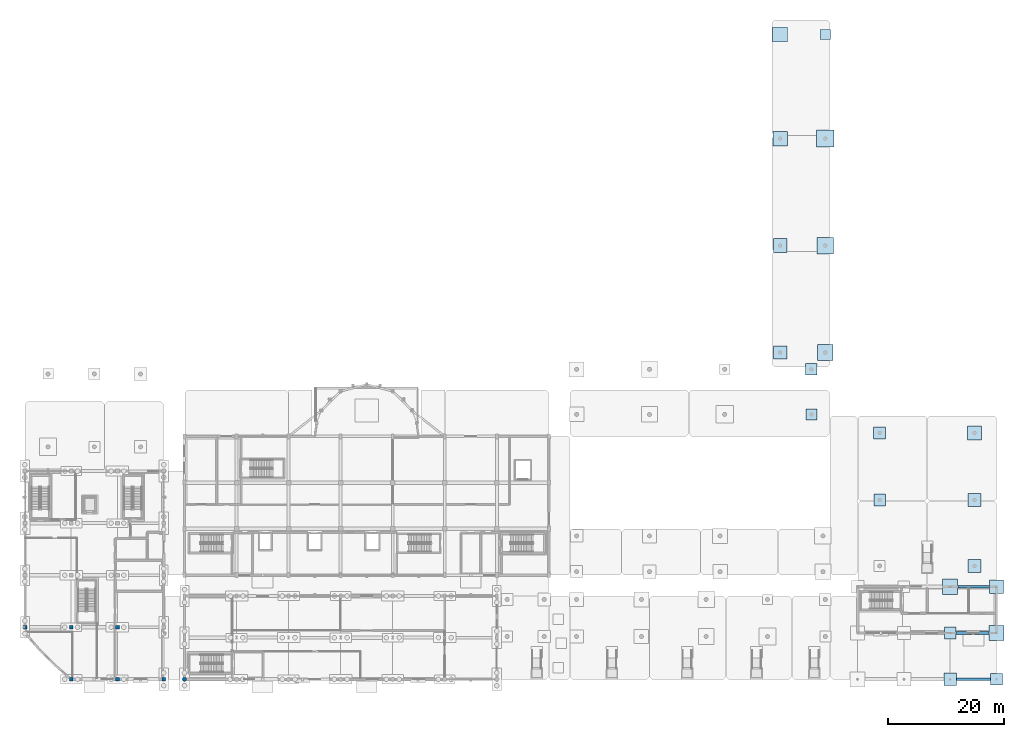
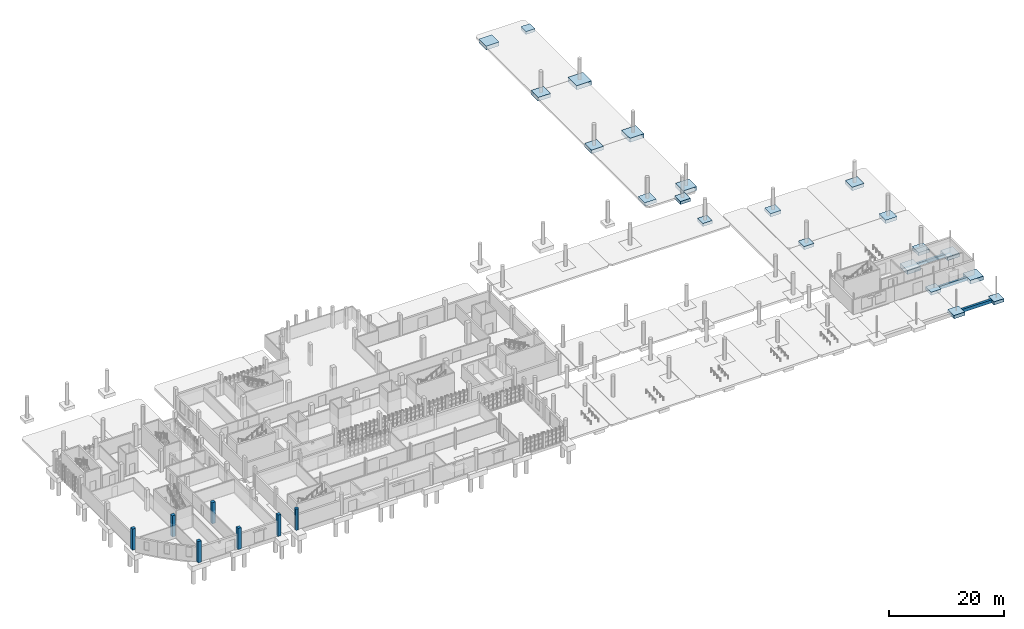
# One storey, part 3 of 63: 24 footings, 7 columns.
"""IFC4 building model written with IfcOpenShell, lengths in metres."""

from ifc_helpers import new_model, si_unit, direction, frame, origin, origin_2d, place, context, subcontext, project, spatial, polyline, rectangle, circle, outline, extrude, material, material_profile, profile_set, type_object, element, save


model = new_model("IFC4")

# Units and contexts
model_context = context("Model", 3, precision=1e-05, world=origin(), true_north=direction((0.0, 1.0)))
body_context = subcontext(model_context, "Body", "Model", "MODEL_VIEW")
ifc_project = project(units=[si_unit("LENGTHUNIT", "METRE"), si_unit("AREAUNIT", "SQUARE_METRE"), si_unit("VOLUMEUNIT", "CUBIC_METRE"), si_unit("PLANEANGLEUNIT", "RADIAN"), si_unit("MASSUNIT", "GRAM", prefix="KILO")], contexts=[model_context])

# Site, building, storey
site_placement = place(None, origin())
site = spatial("IfcSite", under=ifc_project, at=site_placement, CompositionType="ELEMENT")
building_placement = place(site_placement, origin())
building = spatial("IfcBuilding", under=site, at=building_placement, Name="Serraforn Aerial Cableway Station", CompositionType="ELEMENT")
storey_placement = place(building_placement, origin())
storey = spatial("IfcBuildingStorey", under=building, at=storey_placement, Name="L00", CompositionType="ELEMENT", Elevation=0.0)

# Footings
ifc_material = material(Name="Concrete C35/45", Category="concrete")
footing_type_1 = type_object("IfcFootingType", Name="FT-FB-450x650", PredefinedType="FOOTING_BEAM", material=ifc_material)
footing_1_placement = place(storey_placement, frame((0.0, 0.0, -0.64990234375)))
element("IfcFooting", 1, at=footing_1_placement, inside=storey, type_object=footing_type_1, Name="Footing Tie Beam ES Y=0.0 #3", PredefinedType="FOOTING_BEAM", context=body_context, shape_type="SweptSolid", body=[
    extrude(outline(polyline([(166.9951171875, 0.22509765625), (166.9951171875, -0.22509765625), (161.10498046875, -0.22509765625), (161.10498046875, 0.22509765625), (166.9951171875, 0.22509765625)])), origin(), (0.0, 0.0, 1.0), 0.64990234375),
])
footing_2_placement = place(storey_placement, frame((0.0, 0.0, -0.64990234375)))
element("IfcFooting", 2, at=footing_2_placement, inside=storey, type_object=footing_type_1, Name="Footing Tie Beam ES Y=8.0 #3", PredefinedType="FOOTING_BEAM", context=body_context, shape_type="SweptSolid", body=[
    extrude(outline(polyline([(166.695068359375, 8.22509765625), (166.695068359375, 7.77490234375), (161.0048828125, 7.77490234375), (161.0048828125, 8.22509765625), (166.695068359375, 8.22509765625)])), origin(), (0.0, 0.0, 1.0), 0.64990234375),
])
footing_3_placement = place(storey_placement, frame((0.0, 0.0, -0.64990234375)))
element("IfcFooting", 3, at=footing_3_placement, inside=storey, type_object=footing_type_1, Name="Footing Tie Beam ES Y=16.0 #3", PredefinedType="FOOTING_BEAM", context=body_context, shape_type="SweptSolid", body=[
    extrude(outline(polyline([(166.794921875, 16.22509765625), (166.794921875, 15.77490234375), (161.304931640625, 15.77490234375), (161.304931640625, 16.22509765625), (166.794921875, 16.22509765625)])), origin(), (0.0, 0.0, 1.0), 0.64990234375),
])
footing_type_2 = type_object("IfcFootingType", Name="FT-PAD-180", PredefinedType="PAD_FOOTING", material=ifc_material)
footing_4_placement = place(storey_placement, frame((138.39990234375, 111.5, -0.60009765625), z_axis=(0.0, 0.0, 1.0), x_axis=(1.0, 0.0, 0.0)))
element("IfcFooting", 4, at=footing_4_placement, inside=storey, type_object=footing_type_2, Name="Colonnade Pad Footing E-2-4", PredefinedType="PAD_FOOTING", context=body_context, shape_type="SweptSolid", body=[
    extrude(rectangle(XDim=1.800048828125, YDim=1.800048828125, at=origin_2d()), origin(), (0.0, 0.0, 1.0), 0.60009765625),
])
footing_type_3 = type_object("IfcFootingType", Name="FT-PAD-190", PredefinedType="PAD_FOOTING", material=ifc_material)
footing_5_placement = place(storey_placement, frame((136.0, 45.800048828125, -0.6201171875), z_axis=(0.0, 0.0, 1.0), x_axis=(1.0, 0.0, 0.0)))
element("IfcFooting", 5, at=footing_5_placement, inside=storey, type_object=footing_type_3, Name="Colonnade Pad Footing NP-4-1", PredefinedType="PAD_FOOTING", context=body_context, shape_type="SweptSolid", body=[
    extrude(rectangle(XDim=1.89990234375, YDim=1.89990234375, at=origin_2d()), origin(), (0.0, 0.0, 1.0), 0.6201171875),
])
footing_type_4 = type_object("IfcFootingType", Name="FT-PAD-200", PredefinedType="PAD_FOOTING", material=ifc_material)
for number, where, z_axis, x_axis, name in (
    (6, (160.0, 8.0, -0.64990234375), (0.0, 0.0, 1.0), (1.0, 0.0, 0.0), "Pad Footing ES-21-B0"),
    (7, (168.0, 0.0, -0.64990234375), (0.0, 0.0, 1.0), (1.0, 0.0, 0.0), "Pad Footing ES-22-A"),
    (8, (147.800048828125, 31.0, -0.64990234375), (0.0, 0.0, 1.0), (1.0, 0.0, 0.0), "Colonnade Pad Footing EF-1-2"),
    (9, (136.0, 53.60009765625, -0.64990234375), (0.0, 0.0, 1.0), (1.0, 0.0, 0.0), "Colonnade Pad Footing NP-4-2"),
):
    element("IfcFooting", number, at=place(storey_placement, frame(where, z_axis=z_axis, x_axis=x_axis)), inside=storey, type_object=footing_type_4, Name=name, PredefinedType="PAD_FOOTING", context=body_context, shape_type="SweptSolid", body=[
        extrude(rectangle(XDim=2.0, YDim=2.0, at=origin_2d()), origin(), (0.0, 0.0, 1.0), 0.64990234375),
    ])
footing_type_5 = type_object("IfcFootingType", Name="FT-PAD-210", PredefinedType="PAD_FOOTING", material=ifc_material)
footing_6_placement = place(storey_placement, frame((147.800048828125, 42.60009765625, -0.68017578125), z_axis=(0.0, 0.0, 1.0), x_axis=(1.0, 0.0, 0.0)))
element("IfcFooting", 10, at=footing_6_placement, inside=storey, type_object=footing_type_5, Name="Colonnade Pad Footing EF-1-3", PredefinedType="PAD_FOOTING", context=body_context, shape_type="SweptSolid", body=[
    extrude(rectangle(XDim=2.10009765625, YDim=2.10009765625, at=origin_2d()), origin(), (0.0, 0.0, 1.0), 0.679931640625),
])
footing_type_6 = type_object("IfcFootingType", Name="FT-PAD-220", PredefinedType="PAD_FOOTING", material=ifc_material)
for number, where, z_axis, x_axis, name in (
    (11, (160.0, 0.0, -0.7001953125), (0.0, 0.0, 1.0), (1.0, 0.0, 0.0), "Pad Footing ES-21-A"),
    (12, (164.199951171875, 19.60009765625, -0.7001953125), (0.0, 0.0, 1.0), (1.0, 0.0, 0.0), "Colonnade Pad Footing EF-2-1"),
):
    element("IfcFooting", number, at=place(storey_placement, frame(where, z_axis=z_axis, x_axis=x_axis)), inside=storey, type_object=footing_type_6, Name=name, PredefinedType="PAD_FOOTING", context=body_context, shape_type="SweptSolid", body=[
        extrude(rectangle(XDim=2.199951171875, YDim=2.199951171875, at=origin_2d()), origin(), (0.0, 0.0, 1.0), 0.699951171875),
    ])
footing_type_7 = type_object("IfcFootingType", Name="FT-PAD-230", PredefinedType="PAD_FOOTING", material=ifc_material)
for number, where, z_axis, x_axis, name in (
    (13, (130.60009765625, 56.5, -0.72021484375), (0.0, 0.0, 1.0), (1.0, 0.0, 0.0), "Colonnade Pad Footing E-1-1"),
    (14, (164.199951171875, 31.0, -0.72021484375), (0.0, 0.0, 1.0), (1.0, 0.0, 0.0), "Colonnade Pad Footing EF-2-2"),
):
    element("IfcFooting", number, at=place(storey_placement, frame(where, z_axis=z_axis, x_axis=x_axis)), inside=storey, type_object=footing_type_7, Name=name, PredefinedType="PAD_FOOTING", context=body_context, shape_type="SweptSolid", body=[
        extrude(rectangle(XDim=2.300048828125, YDim=2.300048828125, at=origin_2d()), origin(), (0.0, 0.0, 1.0), 0.719970703125),
    ])
footing_type_8 = type_object("IfcFootingType", Name="FT-PAD-240", PredefinedType="PAD_FOOTING", material=ifc_material)
for number, where, z_axis, x_axis, name in (
    (15, (168.0, 16.0, -0.75), (0.0, 0.0, 1.0), (1.0, 0.0, 0.0), "Pad Footing ES-22-B3"),
    (16, (130.60009765625, 75.0, -0.75), (0.0, 0.0, 1.0), (1.0, 0.0, 0.0), "Colonnade Pad Footing E-1-2"),
    (17, (164.199951171875, 42.60009765625, -0.75), (0.0, 0.0, 1.0), (1.0, 0.0, 0.0), "Colonnade Pad Footing EF-2-3"),
):
    element("IfcFooting", number, at=place(storey_placement, frame(where, z_axis=z_axis, x_axis=x_axis)), inside=storey, type_object=footing_type_8, Name=name, PredefinedType="PAD_FOOTING", context=body_context, shape_type="SweptSolid", body=[
        extrude(rectangle(XDim=2.39990234375, YDim=2.39990234375, at=origin_2d()), origin(), (0.0, 0.0, 1.0), 0.75),
    ])
footing_type_9 = type_object("IfcFootingType", Name="FT-PAD-250", PredefinedType="PAD_FOOTING", material=ifc_material)
footing_7_placement = place(storey_placement, frame((130.60009765625, 93.5, -0.77978515625), z_axis=(0.0, 0.0, 1.0), x_axis=(1.0, 0.0, 0.0)))
element("IfcFooting", 18, at=footing_7_placement, inside=storey, type_object=footing_type_9, Name="Colonnade Pad Footing E-1-3", PredefinedType="PAD_FOOTING", context=body_context, shape_type="SweptSolid", body=[
    extrude(rectangle(XDim=2.5, YDim=2.5, at=origin_2d()), origin(), (0.0, 0.0, 1.0), 0.780029296875),
])
footing_type_10 = type_object("IfcFootingType", Name="FT-PAD-260", PredefinedType="PAD_FOOTING", material=ifc_material)
for number, where, z_axis, x_axis, name in (
    (19, (160.0, 16.0, -0.7998046875), (0.0, 0.0, 1.0), (1.0, 0.0, 0.0), "Pad Footing ES-21-B3"),
    (20, (168.0, 8.0, -0.7998046875), (0.0, 0.0, 1.0), (1.0, 0.0, 0.0), "Pad Footing ES-22-B0"),
    (21, (130.60009765625, 111.5, -0.7998046875), (0.0, 0.0, 1.0), (1.0, 0.0, 0.0), "Colonnade Pad Footing E-1-4"),
):
    element("IfcFooting", number, at=place(storey_placement, frame(where, z_axis=z_axis, x_axis=x_axis)), inside=storey, type_object=footing_type_10, Name=name, PredefinedType="PAD_FOOTING", context=body_context, shape_type="SweptSolid", body=[
        extrude(rectangle(XDim=2.60009765625, YDim=2.60009765625, at=origin_2d()), origin(), (0.0, 0.0, 1.0), 0.800048828125),
    ])
footing_type_11 = type_object("IfcFootingType", Name="FT-PAD-270", PredefinedType="PAD_FOOTING", material=ifc_material)
footing_8_placement = place(storey_placement, frame((138.39990234375, 56.5, -0.81982421875), z_axis=(0.0, 0.0, 1.0), x_axis=(1.0, 0.0, 0.0)))
element("IfcFooting", 22, at=footing_8_placement, inside=storey, type_object=footing_type_11, Name="Colonnade Pad Footing E-2-1", PredefinedType="PAD_FOOTING", context=body_context, shape_type="SweptSolid", body=[
    extrude(rectangle(XDim=2.699951171875, YDim=2.699951171875, at=origin_2d()), origin(), (0.0, 0.0, 1.0), 0.820068359375),
])
footing_type_12 = type_object("IfcFootingType", Name="FT-PAD-285", PredefinedType="PAD_FOOTING", material=ifc_material)
footing_9_placement = place(storey_placement, frame((138.39990234375, 75.0, -0.85009765625), z_axis=(0.0, 0.0, 1.0), x_axis=(1.0, 0.0, 0.0)))
element("IfcFooting", 23, at=footing_9_placement, inside=storey, type_object=footing_type_12, Name="Colonnade Pad Footing E-2-2", PredefinedType="PAD_FOOTING", context=body_context, shape_type="SweptSolid", body=[
    extrude(rectangle(XDim=2.85009765625, YDim=2.85009765625, at=origin_2d()), origin(), (0.0, 0.0, 1.0), 0.85009765625),
])
footing_type_13 = type_object("IfcFootingType", Name="FT-PAD-300", PredefinedType="PAD_FOOTING", material=ifc_material)
footing_10_placement = place(storey_placement, frame((138.39990234375, 93.5, -0.8798828125), z_axis=(0.0, 0.0, 1.0), x_axis=(1.0, 0.0, 0.0)))
element("IfcFooting", 24, at=footing_10_placement, inside=storey, type_object=footing_type_13, Name="Colonnade Pad Footing E-2-3", PredefinedType="PAD_FOOTING", context=body_context, shape_type="SweptSolid", body=[
    extrude(rectangle(XDim=3.0, YDim=3.0, at=origin_2d()), origin(), (0.0, 0.0, 1.0), 0.8798828125),
])

# Columns
ifc_material_profile_1 = material_profile(ifc_material, rectangle(XDim=0.64990234375, YDim=0.64990234375, at=origin_2d()), Name="RC 650x650")
ifc_profile_set_1 = profile_set([ifc_material_profile_1], Name="Concrete C35/45")
column_type_1 = type_object("IfcColumnType", Name="COL-RC-650", PredefinedType="COLUMN", material=ifc_profile_set_1)
for number, where, z_axis, x_axis, name in (
    (25, (8.0, 9.0, 0.0), (0.0, 0.0, 1.0), (1.0, 0.0, 0.0), "Column W L00 2-B"),
    (26, (16.0, 9.0, 0.0), (0.0, 0.0, 1.0), (1.0, 0.0, 0.0), "Column W L00 3-B"),
):
    element("IfcColumn", number, at=place(storey_placement, frame(where, z_axis=z_axis, x_axis=x_axis)), inside=storey, type_object=column_type_1, Name=name, PredefinedType="COLUMN", context=body_context, shape_type="SweptSolid", body=[
        extrude(rectangle(XDim=0.64990234375, YDim=0.64990234375, at=origin_2d()), origin(), (0.0, 0.0, 1.0), 4.5),
    ])
ifc_material_profile_2 = material_profile(ifc_material, rectangle(XDim=0.64990234375, YDim=0.64990234375, at=origin_2d()), Name="RC 650x650")
ifc_profile_set_2 = profile_set([ifc_material_profile_2], Name="Concrete C35/45")
column_type_2 = type_object("IfcColumnType", Name="COL-RC-650E", PredefinedType="COLUMN", material=ifc_profile_set_2)
for number, where, z_axis, x_axis, name in (
    (27, (0.0, 9.0, 0.0), (0.0, 0.0, 1.0), (1.0, 0.0, 0.0), "Column W L00 1-B"),
    (28, (8.0, 0.0, 0.0), (0.0, 0.0, 1.0), (1.0, 0.0, 0.0), "Column W L00 2-A"),
    (29, (16.0, 0.0, 0.0), (0.0, 0.0, 1.0), (1.0, 0.0, 0.0), "Column W L00 3-A"),
    (30, (24.0, 0.0, 0.0), (0.0, 0.0, 1.0), (1.0, 0.0, 0.0), "Column W L00 4-A"),
):
    element("IfcColumn", number, at=place(storey_placement, frame(where, z_axis=z_axis, x_axis=x_axis)), inside=storey, type_object=column_type_2, Name=name, PredefinedType="COLUMN", context=body_context, shape_type="SweptSolid", body=[
        extrude(rectangle(XDim=0.64990234375, YDim=0.64990234375, at=origin_2d()), origin(), (0.0, 0.0, 1.0), 4.5),
    ])
ifc_material_profile_3 = material_profile(ifc_material, circle(Radius=0.35009765625, at=origin_2d()), Name="RC D700")
ifc_profile_set_3 = profile_set([ifc_material_profile_3], Name="Concrete C35/45")
column_type_3 = type_object("IfcColumnType", Name="COL-RC-D700", PredefinedType="COLUMN", material=ifc_profile_set_3)
column_placement = place(storey_placement, frame((27.60009765625, 0.0, 0.0), z_axis=(0.0, 0.0, 1.0), x_axis=(1.0, 0.0, 0.0)))
element("IfcColumn", 31, at=column_placement, inside=storey, type_object=column_type_3, Name="Column CF L00 5-A", PredefinedType="COLUMN", context=body_context, shape_type="SweptSolid", body=[
    extrude(circle(Radius=0.35009765625, at=origin_2d()), origin(), (0.0, 0.0, 1.0), 4.5),
])

save(model, "model.ifc")
